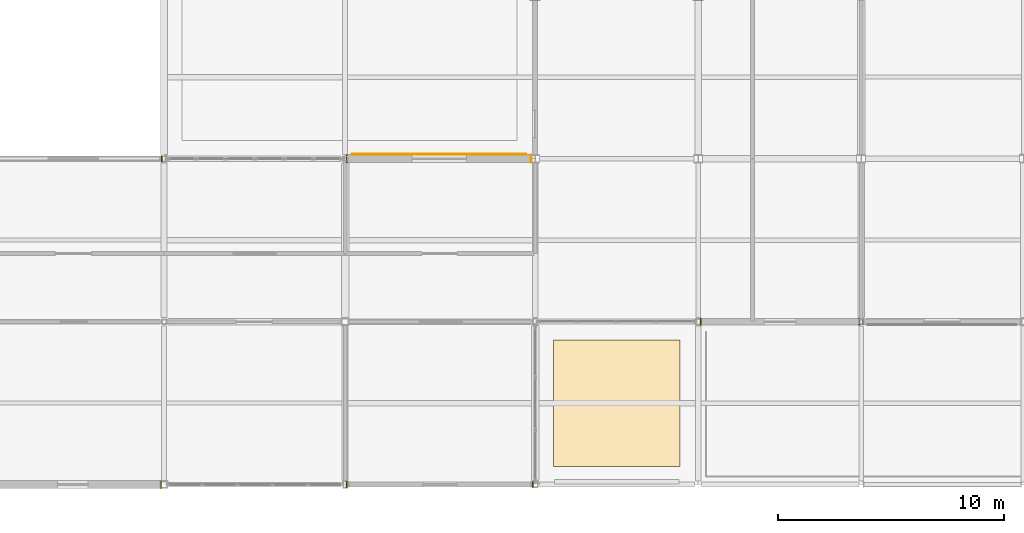
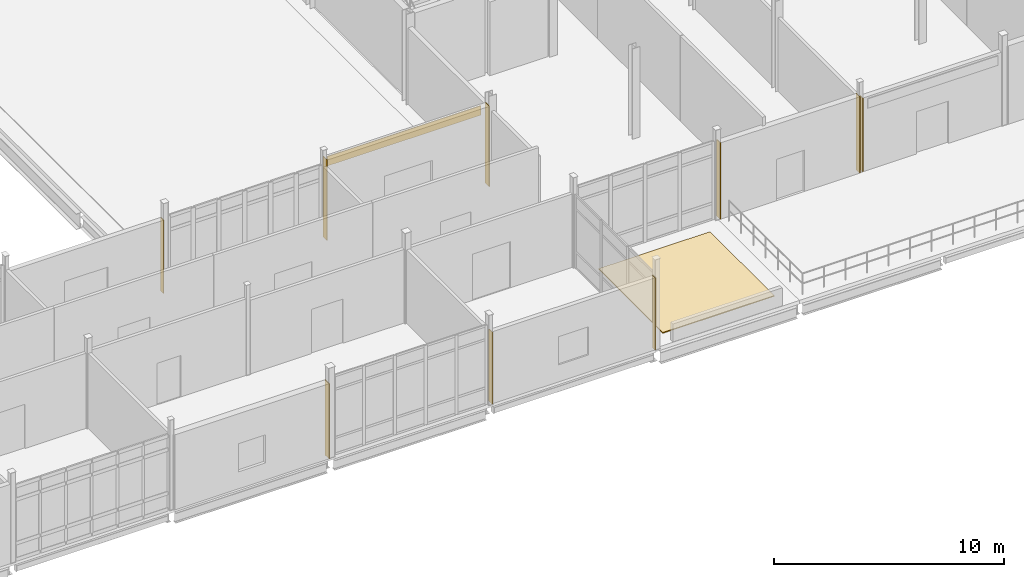
# One storey, part 173 of 186: 11 coverings.
"""IFC4 building model written with IfcOpenShell, lengths in metres."""

from ifc_helpers import new_model, si_unit, direction, frame, origin, origin_2d, place, context, subcontext, project, spatial, polyline, rectangle, outline, extrude, material, layer, layer_set, type_object, element, save


model = new_model("IFC4")

# Units and contexts
model_context = context("Model", 3, precision=1e-05, world=origin(), true_north=direction((0.0, 1.0)))
body_context = subcontext(model_context, "Body", "Model", "MODEL_VIEW")
ifc_project = project(units=[si_unit("LENGTHUNIT", "METRE"), si_unit("AREAUNIT", "SQUARE_METRE"), si_unit("VOLUMEUNIT", "CUBIC_METRE"), si_unit("PLANEANGLEUNIT", "RADIAN"), si_unit("MASSUNIT", "GRAM", prefix="KILO")], contexts=[model_context])

# Site, building, storey
site_placement = place(None, origin())
site = spatial("IfcSite", under=ifc_project, at=site_placement, CompositionType="ELEMENT")
building_placement = place(site_placement, origin())
building = spatial("IfcBuilding", under=site, at=building_placement, Name="Calvrana Isthmian Art Gallery", CompositionType="ELEMENT")
storey_placement = place(building_placement, frame((0.0, 0.0, 5.39990234375)))
storey = spatial("IfcBuildingStorey", under=building, at=storey_placement, Name="L01", CompositionType="ELEMENT", Elevation=5.39990234375)

# Coverings
ifc_material_1 = material(Name="Polychrome glazed terracotta", Category="masonry")
ifc_layer_1 = layer(ifc_material_1, 0.0400390625, Name="Polychrome glazed terracotta")
ifc_layer_set_1 = layer_set([ifc_layer_1], Name="Polychrome glazed terracotta")
covering_type_1 = type_object("IfcCoveringType", Name="COV-CLAD-TERRA", PredefinedType="CLADDING", material=ifc_layer_set_1)
covering_1_placement = place(storey_placement, origin())
element("IfcCovering", 1, at=covering_1_placement, inside=storey, type_object=covering_type_1, Name="Column pocket weather closure L01-11-00-E", PredefinedType="CLADDING", context=body_context, shape_type="SweptSolid", body=[
    extrude(outline(polyline([(96.24755859375, -0.175048828125), (96.28759765625, -0.175048828125), (96.28759765625, 0.175048828125), (96.24755859375, 0.175048828125), (96.24755859375, -0.175048828125)])), origin(), (0.0, 0.0, 1.0), 3.987060546875),
])
covering_2_placement = place(storey_placement, origin())
element("IfcCovering", 2, at=covering_2_placement, inside=storey, type_object=covering_type_1, Name="Column pocket weather closure L01-13-00-W", PredefinedType="CLADDING", context=body_context, shape_type="SweptSolid", body=[
    extrude(outline(polyline([(104.461669921875, -0.1474609375), (104.501708984375, -0.1474609375), (104.501708984375, 0.1474609375), (104.461669921875, 0.1474609375), (104.461669921875, -0.1474609375)])), origin(), (0.0, 0.0, 1.0), 3.8271484375),
])
covering_3_placement = place(storey_placement, origin())
element("IfcCovering", 3, at=covering_3_placement, inside=storey, type_object=covering_type_1, Name="Column pocket weather closure L01-13-00-E", PredefinedType="CLADDING", context=body_context, shape_type="SweptSolid", body=[
    extrude(outline(polyline([(112.673095703125, -0.1220703125), (112.712890625, -0.1220703125), (112.712890625, 0.1220703125), (112.673095703125, 0.1220703125), (112.673095703125, -0.1220703125)])), origin(), (0.0, 0.0, 1.0), 3.8271484375),
])
covering_4_placement = place(storey_placement, origin())
element("IfcCovering", 4, at=covering_4_placement, inside=storey, type_object=covering_type_1, Name="Column pocket weather closure L01-15-01-W", PredefinedType="CLADDING", context=body_context, shape_type="SweptSolid", body=[
    extrude(outline(polyline([(120.0869140625, 7.050048828125), (120.126953125, 7.050048828125), (120.126953125, 7.35009765625), (120.0869140625, 7.35009765625), (120.0869140625, 7.050048828125)])), origin(), (0.0, 0.0, 1.0), 4.05810546875),
])
covering_5_placement = place(storey_placement, origin())
element("IfcCovering", 5, at=covering_5_placement, inside=storey, type_object=covering_type_1, Name="Column pocket weather closure L01-15-01-E", PredefinedType="CLADDING", context=body_context, shape_type="SweptSolid", body=[
    extrude(outline(polyline([(127.098388671875, 7.050048828125), (127.138427734375, 7.050048828125), (127.138427734375, 7.35009765625), (127.098388671875, 7.35009765625), (127.098388671875, 7.050048828125)])), origin(), (0.0, 0.0, 1.0), 4.05810546875),
])
covering_6_placement = place(storey_placement, origin())
element("IfcCovering", 6, at=covering_6_placement, inside=storey, type_object=covering_type_1, Name="Column pocket weather closure L01-16-01-W", PredefinedType="CLADDING", context=body_context, shape_type="SweptSolid", body=[
    extrude(outline(polyline([(127.26171875, 7.074951171875), (127.301513671875, 7.074951171875), (127.301513671875, 7.324951171875), (127.26171875, 7.324951171875), (127.26171875, 7.074951171875)])), origin(), (0.0, 0.0, 1.0), 3.9130859375),
])
covering_7_placement = place(storey_placement, origin())
element("IfcCovering", 7, at=covering_7_placement, inside=storey, type_object=covering_type_1, Name="Column pocket weather closure L01-11-02-E", PredefinedType="CLADDING", context=body_context, shape_type="SweptSolid", body=[
    extrude(outline(polyline([(96.27294921875, 14.27490234375), (96.31298828125, 14.27490234375), (96.31298828125, 14.52490234375), (96.27294921875, 14.52490234375), (96.27294921875, 14.27490234375)])), origin(), (0.0, 0.0, 1.0), 3.9130859375),
])
covering_8_placement = place(storey_placement, origin())
element("IfcCovering", 8, at=covering_8_placement, inside=storey, type_object=covering_type_1, Name="Column pocket weather closure L01-13-02-W", PredefinedType="CLADDING", context=body_context, shape_type="SweptSolid", body=[
    extrude(outline(polyline([(104.461669921875, 14.22509765625), (104.501708984375, 14.22509765625), (104.501708984375, 14.574951171875), (104.461669921875, 14.574951171875), (104.461669921875, 14.22509765625)])), origin(), (0.0, 0.0, 1.0), 4.26611328125),
])
covering_9_placement = place(storey_placement, origin())
element("IfcCovering", 9, at=covering_9_placement, inside=storey, type_object=covering_type_1, Name="Column pocket weather closure L01-13-02-E", PredefinedType="CLADDING", context=body_context, shape_type="SweptSolid", body=[
    extrude(outline(polyline([(112.613525390625, 14.220947265625), (112.653564453125, 14.220947265625), (112.653564453125, 14.5791015625), (112.613525390625, 14.5791015625), (112.613525390625, 14.220947265625)])), origin(), (0.0, 0.0, 1.0), 4.26611328125),
])
covering_10_placement = place(storey_placement, frame((108.5576171875, 14.593017578125, 3.666015625), z_axis=(0.0, 0.0, 1.0), x_axis=(1.0, 0.0, 0.0)))
element("IfcCovering", 10, at=covering_10_placement, inside=storey, type_object=covering_type_1, Name="Terracotta spandrel cladding 065", PredefinedType="CLADDING", context=body_context, shape_type="SweptSolid", body=[
    extrude(rectangle(XDim=7.7119140625, YDim=0.0400390625, at=origin_2d()), origin(), (0.0, 0.0, 1.0), 0.5),
])
ifc_material_2 = material(Name="Standing-seam zinc-aluminium roofing", Category="aluminium")
ifc_layer_2 = layer(ifc_material_2, 0.050048828125, Name="Standing-seam zinc-aluminium roofing")
ifc_layer_set_2 = layer_set([ifc_layer_2], Name="Standing-seam zinc-aluminium roofing")
covering_type_2 = type_object("IfcCoveringType", Name="COV-ROOF-ZINC", PredefinedType="ROOFING", material=ifc_layer_set_2)
covering_11_placement = place(storey_placement, origin())
element("IfcCovering", 11, at=covering_11_placement, inside=storey, type_object=covering_type_2, Name="Insulated roof membrane ROOF_V4SW_L01", PredefinedType="ROOFING", context=body_context, shape_type="SweptSolid", body=[
    extrude(outline(polyline([(113.60009765625, 0.800048828125), (119.199951171875, 0.800048828125), (119.199951171875, 6.39990234375), (113.60009765625, 6.39990234375), (113.60009765625, 0.800048828125)])), origin(), (0.0, 0.0, 1.0), 0.050048828125),
])

save(model, "model.ifc")
